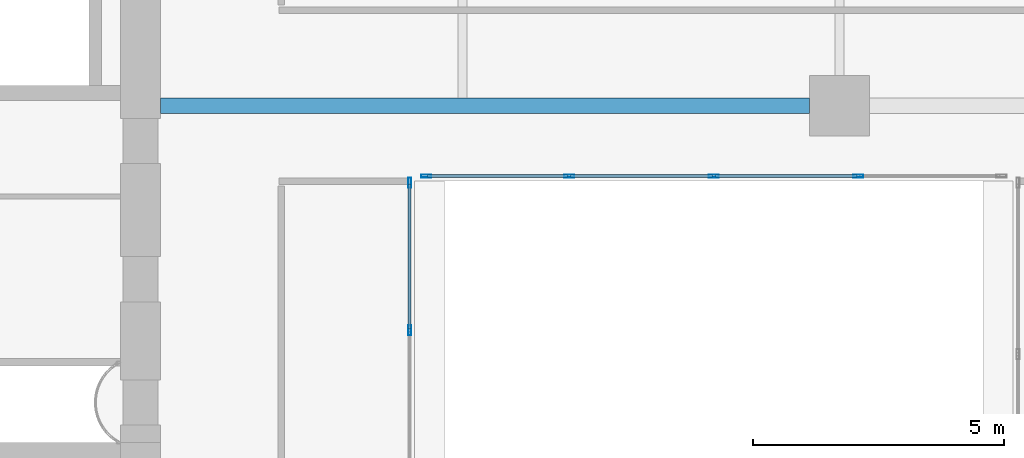
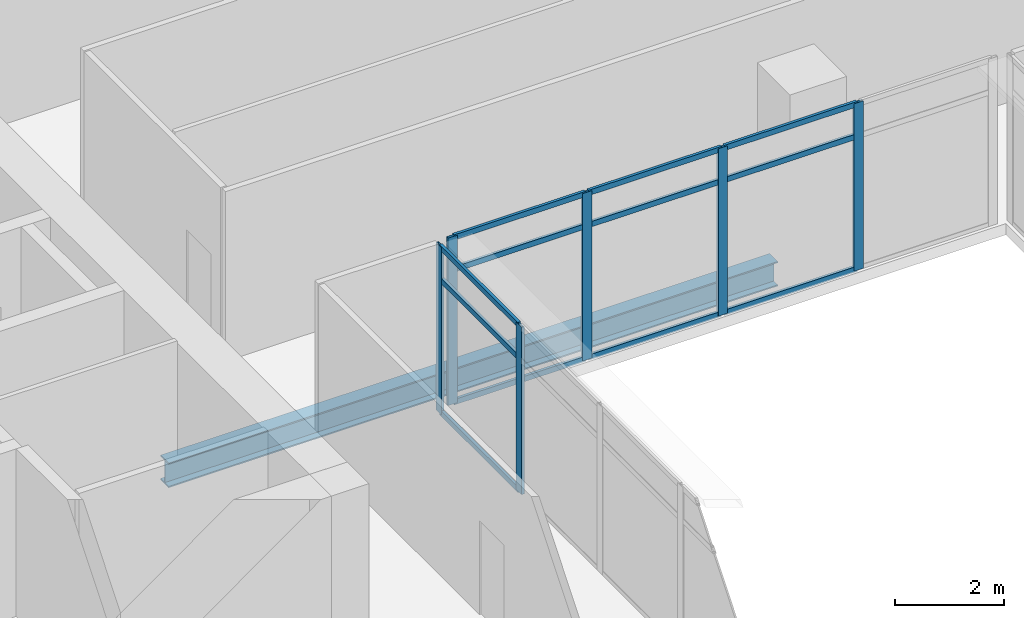
# One storey, part 7 of 37: 18 members, 1 beam, 2 elements without a shape of their own.
"""IFC4 building model written with IfcOpenShell, lengths in metres."""

from ifc_helpers import new_model, si_unit, direction, frame, origin, origin_2d, place, context, subcontext, project, spatial, hollow_rectangle, i_section, extrude, source, transform, mapped, material, material_profile, profile_set, type_object, element, aggregate, save


model = new_model("IFC4")

# Units and contexts
model_context = context("Model", 3, precision=1e-05, world=origin(), true_north=direction((0.0, 1.0)))
body_context = subcontext(model_context, "Body", "Model", "MODEL_VIEW")
ifc_project = project(units=[si_unit("LENGTHUNIT", "METRE"), si_unit("AREAUNIT", "SQUARE_METRE"), si_unit("VOLUMEUNIT", "CUBIC_METRE"), si_unit("PLANEANGLEUNIT", "RADIAN"), si_unit("MASSUNIT", "GRAM", prefix="KILO")], contexts=[model_context])

# Site, building, storey
site_placement = place(None, origin())
site = spatial("IfcSite", under=ifc_project, at=site_placement, CompositionType="ELEMENT")
building_placement = place(site_placement, origin())
building = spatial("IfcBuilding", under=site, at=building_placement, Name="Khomas Fold Tower", CompositionType="ELEMENT")
storey_placement = place(building_placement, frame((0.0, 0.0, 168.699951171875)))
storey = spatial("IfcBuildingStorey", under=building, at=storey_placement, Name="L36", CompositionType="ELEMENT", Elevation=168.699951171875)

# Beam
ifc_material_1 = material(Name="Steel S355", Category="steel")
ifc_material_profile_1 = material_profile(ifc_material_1, i_section(OverallWidth=0.300048828125, OverallDepth=0.550048828125, WebThickness=0.014892578125, FlangeThickness=0.029052734375, at=origin_2d()), Name="HE 550 B")
ifc_profile_set_1 = profile_set([ifc_material_profile_1], Name="Steel S355")
beam_type = type_object("IfcBeamType", Name="HE 550 B beam GB4", PredefinedType="BEAM", material=ifc_profile_set_1)
shared_shape_1 = source(origin(), body_context, "Body", "SweptSolid", [
    extrude(i_section(OverallWidth=0.300048828125, OverallDepth=0.550048828125, WebThickness=0.014892578125, FlangeThickness=0.029052734375, at=origin_2d()), origin(), (0.0, 0.0, 1.0), 12.89990234375),
])
beam_placement = place(storey_placement, frame((21.0, 22.5, -0.52490234375), z_axis=(1.0, 0.0, 0.0), x_axis=(0.0, 1.0, 0.0)))
element("IfcBeam", 1, at=beam_placement, inside=storey, type_object=beam_type, Name="GB4", PredefinedType="BEAM", context=body_context, shape_type="MappedRepresentation", body=[
    mapped(shared_shape_1, transform((0.0, 0.0, 0.0))),
])

# Curtain wall, members
ifc_material_2 = material(Name="Aluminium framed double glazing", Category="aluminium")
curtain_wall_type = type_object("IfcCurtainWallType", Name="Notch glazing GN-CW", PredefinedType="NOTDEFINED", material=ifc_material_2)
curtain_wall_1_placement = place(storey_placement, origin())
curtain_wall_1 = element("IfcCurtainWall", 2, at=curtain_wall_1_placement, inside=storey, type_object=curtain_wall_type, Name="Notch glazing run", PredefinedType="NOTDEFINED")
ifc_material_3 = material(Name="Aluminium", Category="aluminium")
ifc_material_profile_2 = material_profile(ifc_material_3, hollow_rectangle(XDim=0.06005859375, YDim=0.1201171875, WallThickness=0.00390625, at=origin_2d()), Name="Notch glazing transom GN-CW-T")
ifc_profile_set_2 = profile_set([ifc_material_profile_2], Name="Aluminium")
member_type_1 = type_object("IfcMemberType", Name="Notch glazing transom GN-CW-T", PredefinedType="USERDEFINED", material=ifc_profile_set_2)
shared_shape_2 = source(origin(), body_context, "Body", "SweptSolid", [
    extrude(hollow_rectangle(XDim=0.06005859375, YDim=0.1201171875, WallThickness=0.00390625, at=origin_2d()), origin(), (0.0, 0.0, 1.0), 2.876708984375),
])
member_1_placement = place(storey_placement, frame((25.949951171875, 18.063232421875, 0.030029296875), z_axis=(0.0, 1.0, 0.0), x_axis=(-1.0, 0.0, 0.0)))
member_1 = element("IfcMember", 3, at=member_1_placement, type_object=member_type_1, Name="GN-CW transom 6.1", ObjectType="TRANSOM", PredefinedType="USERDEFINED", context=body_context, shape_type="MappedRepresentation", body=[
    mapped(shared_shape_2, transform((0.0, 0.0, 0.0))),
])
member_2_placement = place(storey_placement, frame((25.949951171875, 18.063232421875, 3.0), z_axis=(0.0, 1.0, 0.0), x_axis=(-1.0, 0.0, 0.0)))
member_2 = element("IfcMember", 4, at=member_2_placement, type_object=member_type_1, Name="GN-CW transom 6.2", ObjectType="TRANSOM", PredefinedType="USERDEFINED", context=body_context, shape_type="MappedRepresentation", body=[
    mapped(shared_shape_2, transform((0.0, 0.0, 0.0))),
])
member_3_placement = place(storey_placement, frame((25.949951171875, 18.063232421875, 3.719970703125), z_axis=(0.0, 1.0, 0.0), x_axis=(-1.0, 0.0, 0.0)))
member_3 = element("IfcMember", 5, at=member_3_placement, type_object=member_type_1, Name="GN-CW transom 6.3", ObjectType="TRANSOM", PredefinedType="USERDEFINED", context=body_context, shape_type="MappedRepresentation", body=[
    mapped(shared_shape_2, transform((0.0, 0.0, 0.0))),
])
ifc_material_4 = material(Name="Aluminium", Category="aluminium")
ifc_material_profile_3 = material_profile(ifc_material_4, hollow_rectangle(XDim=0.06005859375, YDim=0.199951171875, WallThickness=0.00390625, at=origin_2d()), Name="Notch glazing mullion GN-CW-M")
ifc_profile_set_3 = profile_set([ifc_material_profile_3], Name="Aluminium")
member_type_2 = type_object("IfcMemberType", Name="Notch glazing mullion GN-CW-M", PredefinedType="MULLION", material=ifc_profile_set_3)
shared_shape_3 = source(origin(), body_context, "Body", "SweptSolid", [
    extrude(hollow_rectangle(XDim=0.06005859375, YDim=0.199951171875, WallThickness=0.00390625, at=origin_2d()), origin(), (0.0, 0.0, 1.0), 3.75),
])
member_4_placement = place(storey_placement, frame((25.949951171875, 18.033447265625, 0.0), z_axis=(0.0, 0.0, 1.0), x_axis=(-1.0, 0.0, 0.0)))
member_4 = element("IfcMember", 6, at=member_4_placement, type_object=member_type_2, Name="GN-CW mullion 6", PredefinedType="MULLION", context=body_context, shape_type="MappedRepresentation", body=[
    mapped(shared_shape_3, transform((0.0, 0.0, 0.0))),
])
member_5_placement = place(storey_placement, frame((25.949951171875, 20.969970703125, 0.0), z_axis=(0.0, 0.0, 1.0), x_axis=(-1.0, 0.0, 0.0)))
member_5 = element("IfcMember", 7, at=member_5_placement, type_object=member_type_2, Name="GN-CW mullion 7", PredefinedType="MULLION", context=body_context, shape_type="MappedRepresentation", body=[
    mapped(shared_shape_3, transform((0.0, 0.0, 0.0))),
])
aggregate(curtain_wall_1, [member_4, member_5, member_1, member_2, member_3])

curtain_wall_2_placement = place(storey_placement, origin())
curtain_wall_2 = element("IfcCurtainWall", 8, at=curtain_wall_2_placement, inside=storey, type_object=curtain_wall_type, Name="Notch glazing run", PredefinedType="NOTDEFINED")
member_6_placement = place(storey_placement, frame((26.280029296875, 21.10009765625, 0.0), z_axis=(0.0, 0.0, 1.0), x_axis=(0.0, 1.0, 0.0)))
member_6 = element("IfcMember", 9, at=member_6_placement, type_object=member_type_2, Name="GN-CW mullion 1", PredefinedType="MULLION", context=body_context, shape_type="MappedRepresentation", body=[
    mapped(shared_shape_3, transform((0.0, 0.0, 0.0))),
])
member_7_placement = place(storey_placement, frame((29.125, 21.10009765625, 0.0), z_axis=(0.0, 0.0, 1.0), x_axis=(0.0, 1.0, 0.0)))
member_7 = element("IfcMember", 10, at=member_7_placement, type_object=member_type_2, Name="GN-CW mullion 2", PredefinedType="MULLION", context=body_context, shape_type="MappedRepresentation", body=[
    mapped(shared_shape_3, transform((0.0, 0.0, 0.0))),
])
member_8_placement = place(storey_placement, frame((32.0, 21.10009765625, 0.0), z_axis=(0.0, 0.0, 1.0), x_axis=(0.0, 1.0, 0.0)))
member_8 = element("IfcMember", 11, at=member_8_placement, type_object=member_type_2, Name="GN-CW mullion 3", PredefinedType="MULLION", context=body_context, shape_type="MappedRepresentation", body=[
    mapped(shared_shape_3, transform((0.0, 0.0, 0.0))),
])
member_9_placement = place(storey_placement, frame((34.875, 21.10009765625, 0.0), z_axis=(0.0, 0.0, 1.0), x_axis=(0.0, 1.0, 0.0)))
member_9 = element("IfcMember", 12, at=member_9_placement, type_object=member_type_2, Name="GN-CW mullion 4", PredefinedType="MULLION", context=body_context, shape_type="MappedRepresentation", body=[
    mapped(shared_shape_3, transform((0.0, 0.0, 0.0))),
])
shared_shape_4 = source(origin(), body_context, "Body", "SweptSolid", [
    extrude(hollow_rectangle(XDim=0.06005859375, YDim=0.1201171875, WallThickness=0.00390625, at=origin_2d()), origin(), (0.0, 0.0, 1.0), 2.784912109375),
])
member_10_placement = place(storey_placement, frame((26.31005859375, 21.10009765625, 0.030029296875), z_axis=(1.0, 0.0, 0.0), x_axis=(0.0, 1.0, 0.0)))
member_10 = element("IfcMember", 13, at=member_10_placement, type_object=member_type_1, Name="GN-CW transom 1.1", ObjectType="TRANSOM", PredefinedType="USERDEFINED", context=body_context, shape_type="MappedRepresentation", body=[
    mapped(shared_shape_4, transform((0.0, 0.0, 0.0))),
])
member_11_placement = place(storey_placement, frame((26.31005859375, 21.10009765625, 3.0), z_axis=(1.0, 0.0, 0.0), x_axis=(0.0, 1.0, 0.0)))
member_11 = element("IfcMember", 14, at=member_11_placement, type_object=member_type_1, Name="GN-CW transom 1.2", ObjectType="TRANSOM", PredefinedType="USERDEFINED", context=body_context, shape_type="MappedRepresentation", body=[
    mapped(shared_shape_4, transform((0.0, 0.0, 0.0))),
])
member_12_placement = place(storey_placement, frame((26.31005859375, 21.10009765625, 3.719970703125), z_axis=(1.0, 0.0, 0.0), x_axis=(0.0, 1.0, 0.0)))
member_12 = element("IfcMember", 15, at=member_12_placement, type_object=member_type_1, Name="GN-CW transom 1.3", ObjectType="TRANSOM", PredefinedType="USERDEFINED", context=body_context, shape_type="MappedRepresentation", body=[
    mapped(shared_shape_4, transform((0.0, 0.0, 0.0))),
])
shared_shape_5 = source(origin(), body_context, "Body", "SweptSolid", [
    extrude(hollow_rectangle(XDim=0.06005859375, YDim=0.1201171875, WallThickness=0.00390625, at=origin_2d()), origin(), (0.0, 0.0, 1.0), 2.81494140625),
])
member_13_placement = place(storey_placement, frame((29.155029296875, 21.10009765625, 0.030029296875), z_axis=(1.0, 0.0, 0.0), x_axis=(0.0, 1.0, 0.0)))
member_13 = element("IfcMember", 16, at=member_13_placement, type_object=member_type_1, Name="GN-CW transom 2.1", ObjectType="TRANSOM", PredefinedType="USERDEFINED", context=body_context, shape_type="MappedRepresentation", body=[
    mapped(shared_shape_5, transform((0.0, 0.0, 0.0))),
])
member_14_placement = place(storey_placement, frame((29.155029296875, 21.10009765625, 3.0), z_axis=(1.0, 0.0, 0.0), x_axis=(0.0, 1.0, 0.0)))
member_14 = element("IfcMember", 17, at=member_14_placement, type_object=member_type_1, Name="GN-CW transom 2.2", ObjectType="TRANSOM", PredefinedType="USERDEFINED", context=body_context, shape_type="MappedRepresentation", body=[
    mapped(shared_shape_5, transform((0.0, 0.0, 0.0))),
])
member_15_placement = place(storey_placement, frame((29.155029296875, 21.10009765625, 3.719970703125), z_axis=(1.0, 0.0, 0.0), x_axis=(0.0, 1.0, 0.0)))
member_15 = element("IfcMember", 18, at=member_15_placement, type_object=member_type_1, Name="GN-CW transom 2.3", ObjectType="TRANSOM", PredefinedType="USERDEFINED", context=body_context, shape_type="MappedRepresentation", body=[
    mapped(shared_shape_5, transform((0.0, 0.0, 0.0))),
])
member_16_placement = place(storey_placement, frame((32.030029296875, 21.10009765625, 0.030029296875), z_axis=(1.0, 0.0, 0.0), x_axis=(0.0, 1.0, 0.0)))
member_16 = element("IfcMember", 19, at=member_16_placement, type_object=member_type_1, Name="GN-CW transom 3.1", ObjectType="TRANSOM", PredefinedType="USERDEFINED", context=body_context, shape_type="MappedRepresentation", body=[
    mapped(shared_shape_5, transform((0.0, 0.0, 0.0))),
])
member_17_placement = place(storey_placement, frame((32.030029296875, 21.10009765625, 3.0), z_axis=(1.0, 0.0, 0.0), x_axis=(0.0, 1.0, 0.0)))
member_17 = element("IfcMember", 20, at=member_17_placement, type_object=member_type_1, Name="GN-CW transom 3.2", ObjectType="TRANSOM", PredefinedType="USERDEFINED", context=body_context, shape_type="MappedRepresentation", body=[
    mapped(shared_shape_5, transform((0.0, 0.0, 0.0))),
])
member_18_placement = place(storey_placement, frame((32.030029296875, 21.10009765625, 3.719970703125), z_axis=(1.0, 0.0, 0.0), x_axis=(0.0, 1.0, 0.0)))
member_18 = element("IfcMember", 21, at=member_18_placement, type_object=member_type_1, Name="GN-CW transom 3.3", ObjectType="TRANSOM", PredefinedType="USERDEFINED", context=body_context, shape_type="MappedRepresentation", body=[
    mapped(shared_shape_5, transform((0.0, 0.0, 0.0))),
])
aggregate(curtain_wall_2, [member_6, member_7, member_8, member_9, member_10, member_11, member_12, member_13, member_14, member_15, member_16, member_17, member_18])

save(model, "model.ifc")
